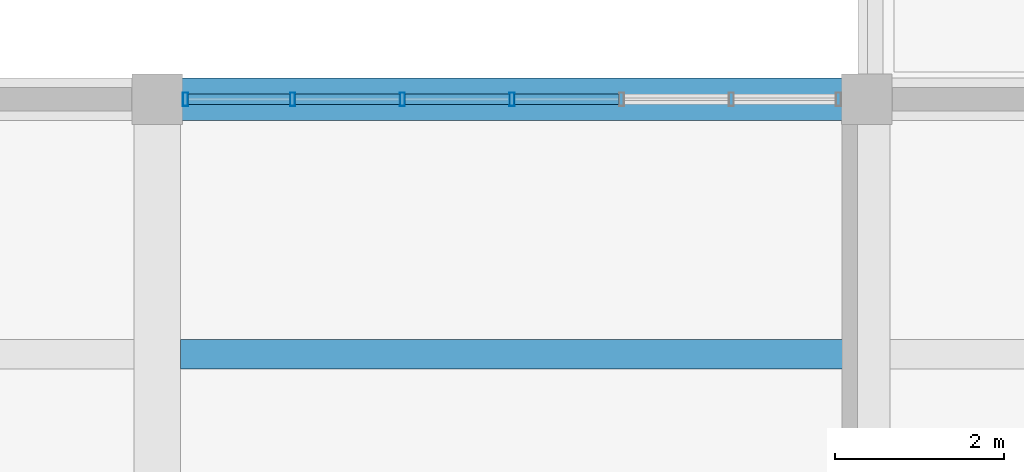
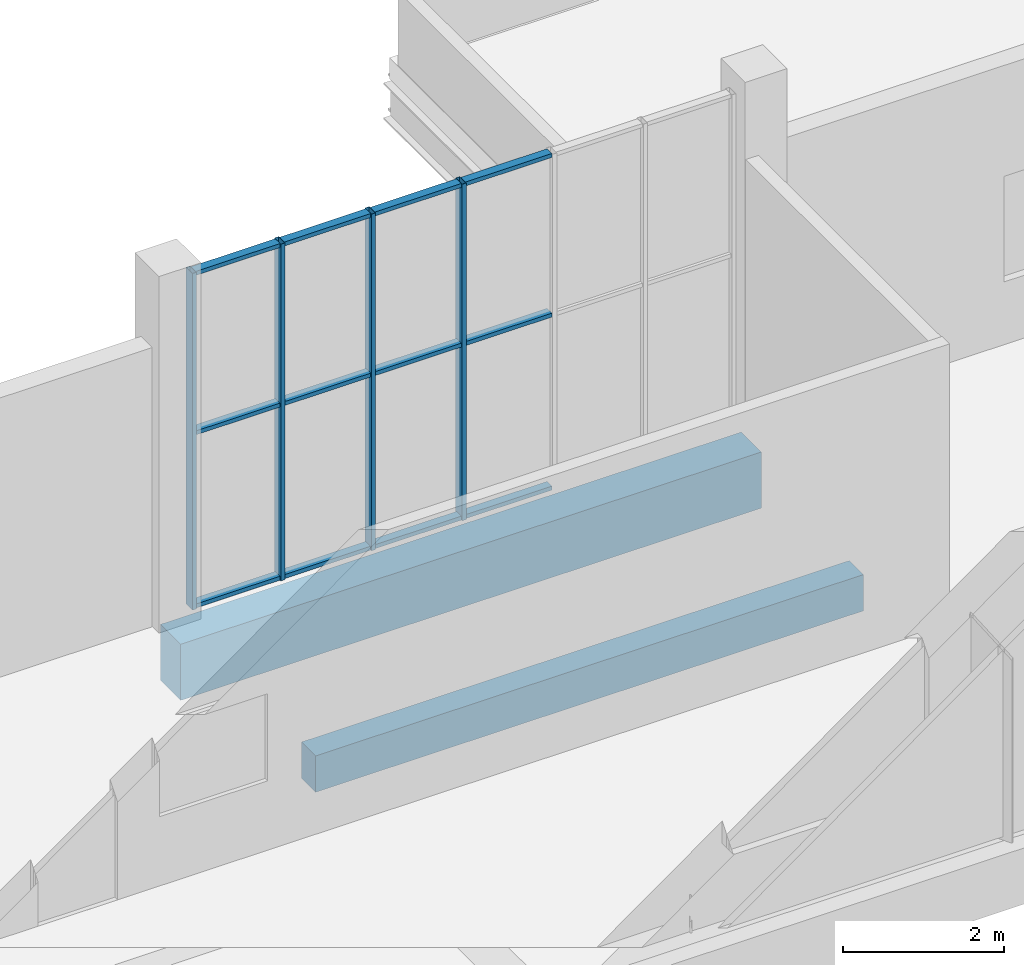
# One storey, part 65 of 132: 16 members, 2 beams, 1 element without a shape of its own.
"""IFC4 building model written with IfcOpenShell, lengths in metres."""

from ifc_helpers import new_model, si_unit, direction, frame, origin, origin_2d, place, context, subcontext, project, spatial, rectangle, hollow_rectangle, extrude, material, material_profile, profile_set, type_object, element, aggregate, save


model = new_model("IFC4")

# Units and contexts
model_context = context("Model", 3, precision=1e-05, world=origin(), true_north=direction((0.0, 1.0)))
body_context = subcontext(model_context, "Body", "Model", "MODEL_VIEW")
ifc_project = project(units=[si_unit("LENGTHUNIT", "METRE"), si_unit("AREAUNIT", "SQUARE_METRE"), si_unit("VOLUMEUNIT", "CUBIC_METRE"), si_unit("PLANEANGLEUNIT", "RADIAN"), si_unit("MASSUNIT", "GRAM", prefix="KILO")], contexts=[model_context])

# Site, building, storey
site_placement = place(None, origin())
site = spatial("IfcSite", under=ifc_project, at=site_placement, CompositionType="ELEMENT")
building_placement = place(site_placement, origin())
building = spatial("IfcBuilding", under=site, at=building_placement, Name="Khurvash Pelagic Aquarium", CompositionType="ELEMENT")
storey_placement = place(building_placement, frame((0.0, 0.0, 5.39990234375)))
storey = spatial("IfcBuildingStorey", under=building, at=storey_placement, Name="L01", CompositionType="ELEMENT", Elevation=5.39990234375)

# Curtain wall, members
ifc_material_1 = material(Name="Anodised aluminium and low-E laminated glass", Category="aluminium")
curtain_wall_type = type_object("IfcCurtainWallType", Name="CW-05", PredefinedType="USERDEFINED", material=ifc_material_1)
curtain_wall_placement = place(storey_placement, origin())
curtain_wall = element("IfcCurtainWall", 1, at=curtain_wall_placement, inside=storey, type_object=curtain_wall_type, Name="L01 Facade Unitised Curtain Wall CW-05 0119", ObjectType="UNITISED CURTAIN WALL", PredefinedType="USERDEFINED")
ifc_material_2 = material(Name="Extruded aluminium AW-6063-T6", Category="aluminium")
ifc_material_profile_1 = material_profile(ifc_material_2, hollow_rectangle(XDim=0.06005859375, YDim=0.159912109375, WallThickness=0.00390625, at=origin_2d()), Name="CWM60X160X4")
ifc_profile_set_1 = profile_set([ifc_material_profile_1], Name="Extruded aluminium AW-6063-T6")
member_type_1 = type_object("IfcMemberType", Name="CM-02", PredefinedType="MULLION", material=ifc_profile_set_1)
member_1_placement = place(storey_placement, frame((54.60009765625, 102.14990234375, 0.0), z_axis=(0.0, 0.0, 1.0), x_axis=(-1.0, 0.0, 0.0)))
member_1 = element("IfcMember", 2, at=member_1_placement, type_object=member_type_1, Name="CW-05 mullion 4", PredefinedType="MULLION", context=body_context, shape_type="SweptSolid", body=[
    extrude(hollow_rectangle(XDim=0.06005859375, YDim=0.159912109375, WallThickness=0.00390625, at=origin_2d()), origin(), (0.0, 0.0, 1.0), 5.10009765625),
])
member_2_placement = place(storey_placement, frame((53.3017578125, 102.14990234375, 0.0), z_axis=(0.0, 0.0, 1.0), x_axis=(-1.0, 0.0, 0.0)))
member_2 = element("IfcMember", 3, at=member_2_placement, type_object=member_type_1, Name="CW-05 mullion 5", PredefinedType="MULLION", context=body_context, shape_type="SweptSolid", body=[
    extrude(hollow_rectangle(XDim=0.06005859375, YDim=0.159912109375, WallThickness=0.00390625, at=origin_2d()), origin(), (0.0, 0.0, 1.0), 5.10009765625),
])
member_3_placement = place(storey_placement, frame((52.00341796875, 102.14990234375, 0.0), z_axis=(0.0, 0.0, 1.0), x_axis=(-1.0, 0.0, 0.0)))
member_3 = element("IfcMember", 4, at=member_3_placement, type_object=member_type_1, Name="CW-05 mullion 6", PredefinedType="MULLION", context=body_context, shape_type="SweptSolid", body=[
    extrude(hollow_rectangle(XDim=0.06005859375, YDim=0.159912109375, WallThickness=0.00390625, at=origin_2d()), origin(), (0.0, 0.0, 1.0), 5.10009765625),
])
member_4_placement = place(storey_placement, frame((50.735107421875, 102.14990234375, 0.0), z_axis=(0.0, 0.0, 1.0), x_axis=(-1.0, 0.0, 0.0)))
member_4 = element("IfcMember", 5, at=member_4_placement, type_object=member_type_1, Name="CW-05 mullion 7", PredefinedType="MULLION", context=body_context, shape_type="SweptSolid", body=[
    extrude(hollow_rectangle(XDim=0.06005859375, YDim=0.159912109375, WallThickness=0.00390625, at=origin_2d()), origin(), (0.0, 0.0, 1.0), 5.10009765625),
])
ifc_material_profile_2 = material_profile(ifc_material_2, hollow_rectangle(XDim=0.1201171875, YDim=0.06005859375, WallThickness=0.00390625, at=origin_2d()), Name="CWT120X60X4")
ifc_profile_set_2 = profile_set([ifc_material_profile_2], Name="Extruded aluminium AW-6063-T6")
member_type_2 = type_object("IfcMemberType", Name="CT-02", PredefinedType="USERDEFINED", material=ifc_profile_set_2)
member_5_placement = place(storey_placement, frame((55.868408203125, 102.14990234375, 0.030029296875), z_axis=(-1.0, 0.0, 0.0), x_axis=(0.0, -1.0, 0.0)))
member_5 = element("IfcMember", 6, at=member_5_placement, type_object=member_type_2, Name="CW-05 transom 3.1", ObjectType="TRANSOM", PredefinedType="USERDEFINED", context=body_context, shape_type="SweptSolid", body=[
    extrude(hollow_rectangle(XDim=0.1201171875, YDim=0.06005859375, WallThickness=0.00390625, at=origin_2d()), origin(), (0.0, 0.0, 1.0), 1.238525390625),
])
member_6_placement = place(storey_placement, frame((55.868408203125, 102.14990234375, 2.652099609375), z_axis=(-1.0, 0.0, 0.0), x_axis=(0.0, -1.0, 0.0)))
member_6 = element("IfcMember", 7, at=member_6_placement, type_object=member_type_2, Name="CW-05 transom 3.2", ObjectType="TRANSOM", PredefinedType="USERDEFINED", context=body_context, shape_type="SweptSolid", body=[
    extrude(hollow_rectangle(XDim=0.1201171875, YDim=0.06005859375, WallThickness=0.00390625, at=origin_2d()), origin(), (0.0, 0.0, 1.0), 1.238525390625),
])
member_7_placement = place(storey_placement, frame((55.868408203125, 102.14990234375, 5.070068359375), z_axis=(-1.0, 0.0, 0.0), x_axis=(0.0, -1.0, 0.0)))
member_7 = element("IfcMember", 8, at=member_7_placement, type_object=member_type_2, Name="CW-05 transom 3.3", ObjectType="TRANSOM", PredefinedType="USERDEFINED", context=body_context, shape_type="SweptSolid", body=[
    extrude(hollow_rectangle(XDim=0.1201171875, YDim=0.06005859375, WallThickness=0.00390625, at=origin_2d()), origin(), (0.0, 0.0, 1.0), 1.238525390625),
])
member_8_placement = place(storey_placement, frame((54.570068359375, 102.14990234375, 0.030029296875), z_axis=(-1.0, 0.0, 0.0), x_axis=(0.0, -1.0, 0.0)))
member_8 = element("IfcMember", 9, at=member_8_placement, type_object=member_type_2, Name="CW-05 transom 4.1", ObjectType="TRANSOM", PredefinedType="USERDEFINED", context=body_context, shape_type="SweptSolid", body=[
    extrude(hollow_rectangle(XDim=0.1201171875, YDim=0.06005859375, WallThickness=0.00390625, at=origin_2d()), origin(), (0.0, 0.0, 1.0), 1.23828125),
])
member_9_placement = place(storey_placement, frame((54.570068359375, 102.14990234375, 2.652099609375), z_axis=(-1.0, 0.0, 0.0), x_axis=(0.0, -1.0, 0.0)))
member_9 = element("IfcMember", 10, at=member_9_placement, type_object=member_type_2, Name="CW-05 transom 4.2", ObjectType="TRANSOM", PredefinedType="USERDEFINED", context=body_context, shape_type="SweptSolid", body=[
    extrude(hollow_rectangle(XDim=0.1201171875, YDim=0.06005859375, WallThickness=0.00390625, at=origin_2d()), origin(), (0.0, 0.0, 1.0), 1.23828125),
])
member_10_placement = place(storey_placement, frame((54.570068359375, 102.14990234375, 5.070068359375), z_axis=(-1.0, 0.0, 0.0), x_axis=(0.0, -1.0, 0.0)))
member_10 = element("IfcMember", 11, at=member_10_placement, type_object=member_type_2, Name="CW-05 transom 4.3", ObjectType="TRANSOM", PredefinedType="USERDEFINED", context=body_context, shape_type="SweptSolid", body=[
    extrude(hollow_rectangle(XDim=0.1201171875, YDim=0.06005859375, WallThickness=0.00390625, at=origin_2d()), origin(), (0.0, 0.0, 1.0), 1.23828125),
])
member_11_placement = place(storey_placement, frame((53.271728515625, 102.14990234375, 0.030029296875), z_axis=(-1.0, 0.0, 0.0), x_axis=(0.0, -1.0, 0.0)))
member_11 = element("IfcMember", 12, at=member_11_placement, type_object=member_type_2, Name="CW-05 transom 5.1", ObjectType="TRANSOM", PredefinedType="USERDEFINED", context=body_context, shape_type="SweptSolid", body=[
    extrude(hollow_rectangle(XDim=0.1201171875, YDim=0.06005859375, WallThickness=0.00390625, at=origin_2d()), origin(), (0.0, 0.0, 1.0), 1.23828125),
])
member_12_placement = place(storey_placement, frame((53.271728515625, 102.14990234375, 2.652099609375), z_axis=(-1.0, 0.0, 0.0), x_axis=(0.0, -1.0, 0.0)))
member_12 = element("IfcMember", 13, at=member_12_placement, type_object=member_type_2, Name="CW-05 transom 5.2", ObjectType="TRANSOM", PredefinedType="USERDEFINED", context=body_context, shape_type="SweptSolid", body=[
    extrude(hollow_rectangle(XDim=0.1201171875, YDim=0.06005859375, WallThickness=0.00390625, at=origin_2d()), origin(), (0.0, 0.0, 1.0), 1.23828125),
])
member_13_placement = place(storey_placement, frame((53.271728515625, 102.14990234375, 5.070068359375), z_axis=(-1.0, 0.0, 0.0), x_axis=(0.0, -1.0, 0.0)))
member_13 = element("IfcMember", 14, at=member_13_placement, type_object=member_type_2, Name="CW-05 transom 5.3", ObjectType="TRANSOM", PredefinedType="USERDEFINED", context=body_context, shape_type="SweptSolid", body=[
    extrude(hollow_rectangle(XDim=0.1201171875, YDim=0.06005859375, WallThickness=0.00390625, at=origin_2d()), origin(), (0.0, 0.0, 1.0), 1.23828125),
])
member_14_placement = place(storey_placement, frame((51.973388671875, 102.14990234375, 0.030029296875), z_axis=(-1.0, 0.0, 0.0), x_axis=(0.0, -1.0, 0.0)))
member_14 = element("IfcMember", 15, at=member_14_placement, type_object=member_type_2, Name="CW-05 transom 6.1", ObjectType="TRANSOM", PredefinedType="USERDEFINED", context=body_context, shape_type="SweptSolid", body=[
    extrude(hollow_rectangle(XDim=0.1201171875, YDim=0.06005859375, WallThickness=0.00390625, at=origin_2d()), origin(), (0.0, 0.0, 1.0), 1.20849609375),
])
member_15_placement = place(storey_placement, frame((51.973388671875, 102.14990234375, 2.652099609375), z_axis=(-1.0, 0.0, 0.0), x_axis=(0.0, -1.0, 0.0)))
member_15 = element("IfcMember", 16, at=member_15_placement, type_object=member_type_2, Name="CW-05 transom 6.2", ObjectType="TRANSOM", PredefinedType="USERDEFINED", context=body_context, shape_type="SweptSolid", body=[
    extrude(hollow_rectangle(XDim=0.1201171875, YDim=0.06005859375, WallThickness=0.00390625, at=origin_2d()), origin(), (0.0, 0.0, 1.0), 1.20849609375),
])
member_16_placement = place(storey_placement, frame((51.973388671875, 102.14990234375, 5.070068359375), z_axis=(-1.0, 0.0, 0.0), x_axis=(0.0, -1.0, 0.0)))
member_16 = element("IfcMember", 17, at=member_16_placement, type_object=member_type_2, Name="CW-05 transom 6.3", ObjectType="TRANSOM", PredefinedType="USERDEFINED", context=body_context, shape_type="SweptSolid", body=[
    extrude(hollow_rectangle(XDim=0.1201171875, YDim=0.06005859375, WallThickness=0.00390625, at=origin_2d()), origin(), (0.0, 0.0, 1.0), 1.20849609375),
])
aggregate(curtain_wall, [member_1, member_2, member_3, member_4, member_5, member_6, member_7, member_8, member_9, member_10, member_11, member_12, member_13, member_14, member_15, member_16])

# Beams
ifc_material_3 = material(Name="Concrete C35/45", Category="concrete")
ifc_material_profile_3 = material_profile(ifc_material_3, rectangle(XDim=0.35009765625, YDim=0.550048828125, at=origin_2d()), Name="RC350X550")
ifc_profile_set_3 = profile_set([ifc_material_profile_3], Name="Concrete C35/45")
beam_type_1 = type_object("IfcBeamType", Name="JS-01", PredefinedType="JOIST", material=ifc_profile_set_3)
beam_1_placement = place(storey_placement, frame((50.675048828125, 99.133056640625, -0.5849609375), z_axis=(1.0, 0.0, 0.0), x_axis=(0.0, 1.0, 0.0)))
element("IfcBeam", 18, at=beam_1_placement, inside=storey, type_object=beam_type_1, Name="L01 Floor Joist JS-01 00499", PredefinedType="JOIST", context=body_context, shape_type="SweptSolid", body=[
    extrude(rectangle(XDim=0.35009765625, YDim=0.550048828125, at=origin_2d()), origin(), (0.0, 0.0, 1.0), 7.849853515625),
])
ifc_material_4 = material(Name="Concrete C40/50", Category="concrete")
ifc_material_profile_4 = material_profile(ifc_material_4, rectangle(XDim=0.5, YDim=0.85009765625, at=origin_2d()), Name="RC500X850")
ifc_profile_set_4 = profile_set([ifc_material_profile_4], Name="Concrete C40/50")
beam_type_2 = type_object("IfcBeamType", Name="SEB-03", PredefinedType="SPANDREL", material=ifc_profile_set_4)
beam_2_placement = place(storey_placement, frame((50.43994140625, 102.14990234375, -0.744873046875), z_axis=(1.0, 0.0, 0.0), x_axis=(0.0, 1.0, 0.0)))
element("IfcBeam", 19, at=beam_2_placement, inside=storey, type_object=beam_type_2, Name="L01 Primary Girder SEB-03 00339", PredefinedType="SPANDREL", context=body_context, shape_type="SweptSolid", body=[
    extrude(rectangle(XDim=0.5, YDim=0.85009765625, at=origin_2d()), origin(), (0.0, 0.0, 1.0), 8.320068359375),
])

save(model, "model.ifc")
